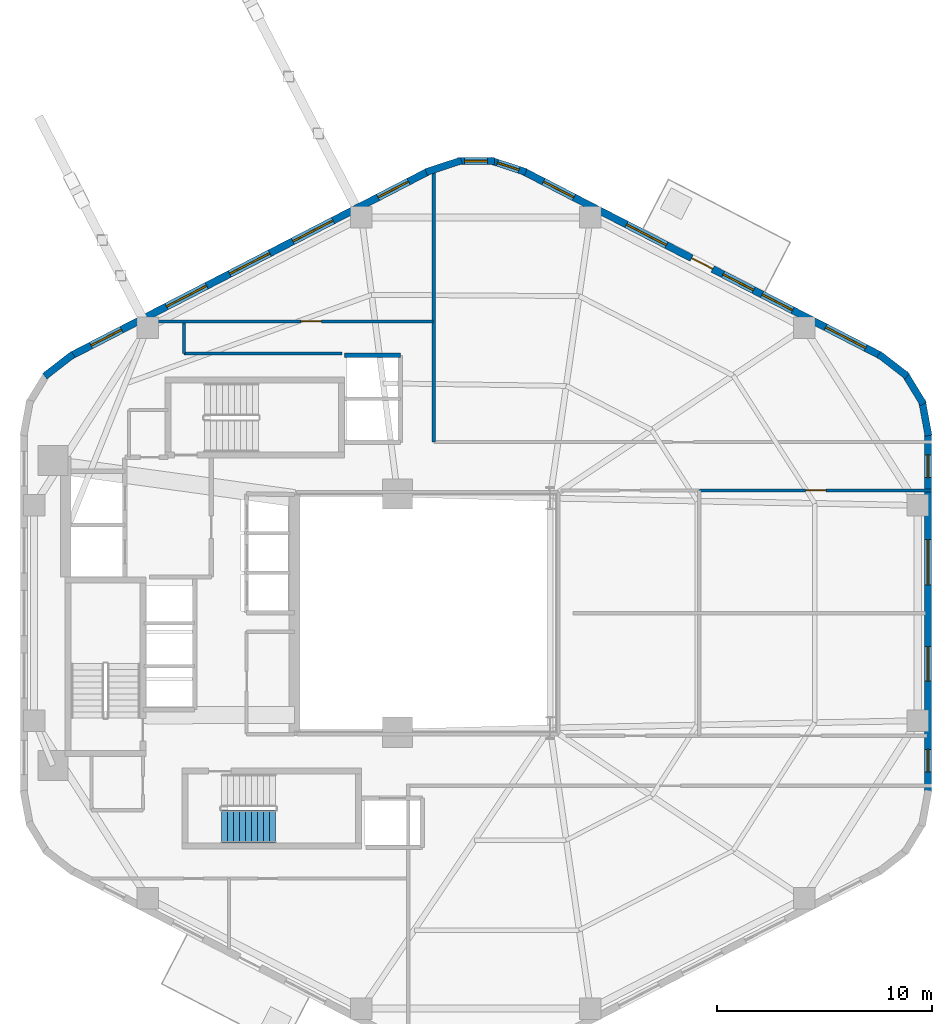
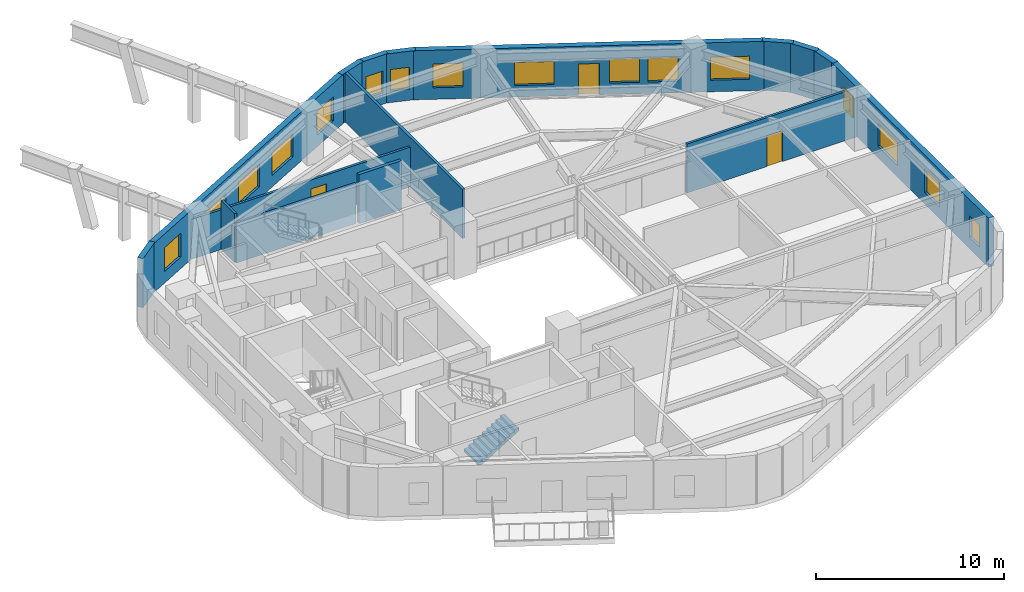
# One storey, part 5 of 8: 16 walls, 16 windows, 3 doors, 1 stair flight, 19 openings, 1 element without a shape of its own.
"""IFC4 building model written with IfcOpenShell, lengths in metres."""

from ifc_helpers import new_model, si_unit, direction, frame, frame_2d, origin, place, context, subcontext, project, spatial, polyline, rectangle, outline, extrude, material, layer, layer_set, type_object, element, fill, aggregate, save


model = new_model("IFC4")

# Units and contexts
model_context = context("Model", 3, precision=1e-05, world=origin(), true_north=direction((0.0, 1.0)))
body_context = subcontext(model_context, "Body", "Model", "MODEL_VIEW")
ifc_project = project(units=[si_unit("LENGTHUNIT", "METRE"), si_unit("AREAUNIT", "SQUARE_METRE"), si_unit("VOLUMEUNIT", "CUBIC_METRE"), si_unit("PLANEANGLEUNIT", "RADIAN"), si_unit("MASSUNIT", "GRAM", prefix="KILO"), si_unit("THERMODYNAMICTEMPERATUREUNIT", "KELVIN"), si_unit("POWERUNIT", "WATT")], contexts=[model_context])

# Site, building, storey
site_placement = place(None, origin())
site = spatial("IfcSite", under=ifc_project, at=site_placement, CompositionType="ELEMENT")
building_placement = place(site_placement, origin())
building = spatial("IfcBuilding", under=site, at=building_placement, Name="Skarre Station Tower", CompositionType="ELEMENT")
storey_placement = place(building_placement, frame((0.0, 0.0, 132.60009765625)))
storey = spatial("IfcBuildingStorey", under=building, at=storey_placement, Name="L35", CompositionType="ELEMENT", Elevation=132.60009765625)

# Wall, opening, door
ifc_material_1 = material(Name="Acoustic Steel-Stud Gypsum Partition", Category="steel")
ifc_layer_1 = layer(ifc_material_1, 0.14990234375, Name="Acoustic Steel-Stud Gypsum Partition")
ifc_layer_set_1 = layer_set([ifc_layer_1], Name="Acoustic Steel-Stud Gypsum Partition")
wall_type_1 = type_object("IfcWallType", Name="Fire-Rated Corridor Acoustic Partition 150", PredefinedType="PARTITIONING", material=ifc_layer_set_1)
wall_1_placement = place(storey_placement, frame((34.0, 37.580078125, 0.0), z_axis=(0.0, 0.0, 1.0), x_axis=(-1.0, 0.0, 0.0)))
wall_1 = element("IfcWall", 1, at=wall_1_placement, inside=storey, type_object=wall_type_1, Name="L35 Interior Partition WL-PT-L35-NWW1-CW", PredefinedType="PARTITIONING", context=body_context, shape_type="SweptSolid", body=[
    extrude(rectangle(XDim=13.70703125, YDim=0.14990234375, at=frame_2d((6.853515625, 0.0))), origin(), (0.0, 0.0, 1.0), 2.581787109375),
])
opening_1_placement = place(wall_1_placement, frame((5.195068359375, 0.0, 0.0)))
opening_1 = element("IfcOpeningElement", 2, at=opening_1_placement, cuts=wall_1, Name="Opening DR-FD60", PredefinedType="OPENING", context=body_context, shape_type="SweptSolid", body=[
    extrude(rectangle(XDim=0.9599609375, YDim=2.0, at=frame_2d((0.47998046875, 1.0))), frame((0.0, 0.0849609375, 0.0), z_axis=(0.0, -1.0, 0.0), x_axis=(1.0, 0.0, 0.0)), (0.0, 0.0, 1.0), 0.169921875),
])
ifc_material_2 = material(Name="Nordic White-Oak Veneer Solid-Core Fire Leaf", Category="wood")
door_type_1 = type_object("IfcDoorType", Name="Corridor Suite Entry Fire Door FD60 960x2150", OperationType="SINGLE_SWING_LEFT", PredefinedType="DOOR", material=ifc_material_2)
door_1_placement = place(opening_1_placement, origin())
door_1 = element("IfcDoor", 3, at=door_1_placement, inside=storey, type_object=door_type_1, Name="L35 NWW1 Entry Door", OperationType="SINGLE_SWING_LEFT", OverallHeight=2.0, OverallWidth=0.9599609375, PredefinedType="DOOR", context=body_context, shape_type="SweptSolid", body=[
    extrude(rectangle(XDim=0.9599609375, YDim=2.0, at=frame_2d((0.47998046875, 1.0))), frame((0.0, 0.02490234375, 0.0), z_axis=(0.0, -1.0, 0.0), x_axis=(1.0, 0.0, 0.0)), (0.0, 0.0, 1.0), 0.050048828125),
])
fill(opening_1, door_1)

wall_2_placement = place(storey_placement, frame((46.4130859375, 29.7099609375, 0.0), z_axis=(0.0, 0.0, 1.0), x_axis=(1.0, 0.0, 0.0)))
wall_2 = element("IfcWall", 4, at=wall_2_placement, inside=storey, type_object=wall_type_1, Name="L35 Interior Partition WL-PT-L35-EWN2-CW", PredefinedType="PARTITIONING", context=body_context, shape_type="SweptSolid", body=[
    extrude(rectangle(XDim=10.794921875, YDim=0.14990234375, at=frame_2d((5.3974609375, 0.0))), origin(), (0.0, 0.0, 1.0), 3.18994140625),
])
opening_2_placement = place(wall_2_placement, frame((4.931884765625, 0.0, 0.0)))
opening_2 = element("IfcOpeningElement", 5, at=opening_2_placement, cuts=wall_2, Name="Opening DR-FD60", PredefinedType="OPENING", context=body_context, shape_type="SweptSolid", body=[
    extrude(rectangle(XDim=0.9599609375, YDim=2.0, at=frame_2d((0.47998046875, 1.0))), frame((0.0, 0.0849609375, 0.0), z_axis=(0.0, -1.0, 0.0), x_axis=(1.0, 0.0, 0.0)), (0.0, 0.0, 1.0), 0.169921875),
])
door_2_placement = place(opening_2_placement, origin())
door_2 = element("IfcDoor", 6, at=door_2_placement, inside=storey, type_object=door_type_1, Name="L35 EWN2 Entry Door", OperationType="SINGLE_SWING_LEFT", OverallHeight=2.0, OverallWidth=0.9599609375, PredefinedType="DOOR", context=body_context, shape_type="SweptSolid", body=[
    extrude(rectangle(XDim=0.9599609375, YDim=2.0, at=frame_2d((0.47998046875, 1.0))), frame((0.0, 0.02490234375, 0.0), z_axis=(0.0, -1.0, 0.0), x_axis=(1.0, 0.0, 0.0)), (0.0, 0.0, 1.0), 0.050048828125),
])
fill(opening_2, door_2)

# Walls
wall_3_placement = place(storey_placement, frame((29.7529296875, 36.080078125, 0.0), z_axis=(0.0, 0.0, 1.0), x_axis=(-1.0, 0.0, 0.0)))
element("IfcWall", 7, at=wall_3_placement, inside=storey, type_object=wall_type_1, Name="L35 Interior Partition WL-PT-L35-CSEAL-1", PredefinedType="PARTITIONING", context=body_context, shape_type="SweptSolid", body=[
    extrude(rectangle(XDim=7.35302734375, YDim=0.14990234375, at=frame_2d((3.676513671875, 0.0))), origin(), (0.0, 0.0, 1.0), 2.581787109375),
])
wall_4_placement = place(storey_placement, frame((22.39990234375, 36.080078125, 0.0), z_axis=(0.0, 0.0, 1.0), x_axis=(0.0, 1.0, 0.0)))
element("IfcWall", 8, at=wall_4_placement, inside=storey, type_object=wall_type_1, Name="L35 Interior Partition WL-PT-L35-CSEAL-2", PredefinedType="PARTITIONING", context=body_context, shape_type="SweptSolid", body=[
    extrude(rectangle(XDim=1.429931640625, YDim=0.14990234375, at=frame_2d((0.71484375, 0.0))), origin(), (0.0, 0.0, 1.0), 3.18994140625),
])

# Wall, openings, windows, door
ifc_material_3 = material(Name="Precast concrete C45/55", Category="concrete")
ifc_layer_2 = layer(ifc_material_3, 0.340087890625, Name="Precast concrete C45/55")
ifc_layer_set_2 = layer_set([ifc_layer_2], Name="Precast concrete C45/55")
wall_type_2 = type_object("IfcWallType", Name="Nordic Honed Precast Facet Wall 340", PredefinedType="STANDARD", material=ifc_layer_set_2)
wall_5_placement = place(storey_placement, frame((38.23095703125, 44.55810546875, 0.0), z_axis=(0.0, 0.0, 1.0), x_axis=(0.888613612362, -0.458656568606, 0.0)))
wall_5 = element("IfcWall", 9, at=wall_5_placement, inside=storey, type_object=wall_type_2, Name="L35 Facet 0 Nordic Precast Masonry Wall", PredefinedType="STANDARD", context=body_context, shape_type="SweptSolid", body=[
    extrude(rectangle(XDim=18.680908203125, YDim=0.340087890625, at=frame_2d((9.34033203125, 0.0))), origin(), (0.0, 0.0, 1.0), 3.18994140625),
])
opening_3_placement = place(wall_5_placement, frame((8.7900390625, 0.0, 0.0)))
opening_3 = element("IfcOpeningElement", 10, at=opening_3_placement, cuts=wall_5, Name="Opening DR-BAL110", PredefinedType="OPENING", context=body_context, shape_type="SweptSolid", body=[
    extrude(rectangle(XDim=1.10009765625, YDim=2.0400390625, at=frame_2d((0.550048828125, 1.02001953125))), frame((0.0, 0.179931640625, 0.0), z_axis=(0.0, -1.0, 0.0), x_axis=(1.0, 0.0, 0.0)), (0.0, 0.0, 1.0), 0.360107421875),
])
opening_4_placement = place(wall_5_placement, frame((1.02294921875, 0.0, 0.75)))
opening_4 = element("IfcOpeningElement", 11, at=opening_4_placement, cuts=wall_5, Name="Opening WN-Z2A", PredefinedType="OPENING", context=body_context, shape_type="SweptSolid", body=[
    extrude(rectangle(XDim=1.60009765625, YDim=1.550048828125, at=frame_2d((0.800048828125, 0.77490234375))), frame((0.0, 0.179931640625, 0.0), z_axis=(0.0, -1.0, 0.0), x_axis=(1.0, 0.0, 0.0)), (0.0, 0.0, 1.0), 0.360107421875),
])
opening_5_placement = place(wall_5_placement, frame((5.373046875, 0.0, 0.75)))
opening_5 = element("IfcOpeningElement", 12, at=opening_5_placement, cuts=wall_5, Name="Opening WN-Z2B", PredefinedType="OPENING", context=body_context, shape_type="SweptSolid", body=[
    extrude(rectangle(XDim=2.10009765625, YDim=1.5, at=frame_2d((1.050048828125, 0.75))), frame((0.0, 0.179931640625, 0.0), z_axis=(0.0, -1.0, 0.0), x_axis=(1.0, 0.0, 0.0)), (0.0, 0.0, 1.0), 0.360107421875),
])
opening_6_placement = place(wall_5_placement, frame((10.43408203125, 0.0, 0.75)))
opening_6 = element("IfcOpeningElement", 13, at=opening_6_placement, cuts=wall_5, Name="Opening WN-Z2A", PredefinedType="OPENING", context=body_context, shape_type="SweptSolid", body=[
    extrude(rectangle(XDim=1.60009765625, YDim=1.550048828125, at=frame_2d((0.800048828125, 0.77490234375))), frame((0.0, 0.179931640625, 0.0), z_axis=(0.0, -1.0, 0.0), x_axis=(1.0, 0.0, 0.0)), (0.0, 0.0, 1.0), 0.360107421875),
])
opening_7_placement = place(wall_5_placement, frame((12.48095703125, 0.0, 0.75)))
opening_7 = element("IfcOpeningElement", 14, at=opening_7_placement, cuts=wall_5, Name="Opening WN-Z2A", PredefinedType="OPENING", context=body_context, shape_type="SweptSolid", body=[
    extrude(rectangle(XDim=1.60009765625, YDim=1.550048828125, at=frame_2d((0.800048828125, 0.77490234375))), frame((0.0, 0.179931640625, 0.0), z_axis=(0.0, -1.0, 0.0), x_axis=(1.0, 0.0, 0.0)), (0.0, 0.0, 1.0), 0.360107421875),
])
opening_8_placement = place(wall_5_placement, frame((15.80810546875, 0.0, 0.75)))
opening_8 = element("IfcOpeningElement", 15, at=opening_8_placement, cuts=wall_5, Name="Opening WN-Z2B", PredefinedType="OPENING", context=body_context, shape_type="SweptSolid", body=[
    extrude(rectangle(XDim=2.10009765625, YDim=1.5, at=frame_2d((1.050048828125, 0.75))), frame((0.0, 0.179931640625, 0.0), z_axis=(0.0, -1.0, 0.0), x_axis=(1.0, 0.0, 0.0)), (0.0, 0.0, 1.0), 0.360107421875),
])
ifc_material_4 = material(Name="Low-Iron Triple Glazing with Bronze Anodized Frame", Category="glass")
window_type_1 = type_object("IfcWindowType", Name="Nordic Residential Tall Window 1600x1550", PartitioningType="SINGLE_PANEL", PredefinedType="WINDOW", material=ifc_material_4)
window_1_placement = place(opening_4_placement, origin())
window_1 = element("IfcWindow", 16, at=window_1_placement, inside=storey, type_object=window_type_1, Name="L35 Facade Window WL-FAC-L35-F0-1", OverallHeight=1.550048828125, OverallWidth=1.60009765625, PartitioningType="SINGLE_PANEL", PredefinedType="WINDOW", context=body_context, shape_type="SweptSolid", body=[
    extrude(rectangle(XDim=1.60009765625, YDim=1.550048828125, at=frame_2d((0.800048828125, 0.77490234375))), frame((0.0, 0.030029296875, 0.0), z_axis=(0.0, -1.0, 0.0), x_axis=(1.0, 0.0, 0.0)), (0.0, 0.0, 1.0), 0.06005859375),
])
fill(opening_4, window_1)
window_2_placement = place(opening_6_placement, origin())
window_2 = element("IfcWindow", 17, at=window_2_placement, inside=storey, type_object=window_type_1, Name="L35 Facade Window WL-FAC-L35-F0-3", OverallHeight=1.550048828125, OverallWidth=1.60009765625, PartitioningType="SINGLE_PANEL", PredefinedType="WINDOW", context=body_context, shape_type="SweptSolid", body=[
    extrude(rectangle(XDim=1.60009765625, YDim=1.550048828125, at=frame_2d((0.800048828125, 0.77490234375))), frame((0.0, 0.030029296875, 0.0), z_axis=(0.0, -1.0, 0.0), x_axis=(1.0, 0.0, 0.0)), (0.0, 0.0, 1.0), 0.06005859375),
])
fill(opening_6, window_2)
window_3_placement = place(opening_7_placement, origin())
window_3 = element("IfcWindow", 18, at=window_3_placement, inside=storey, type_object=window_type_1, Name="L35 Facade Window WL-FAC-L35-F0-4", OverallHeight=1.550048828125, OverallWidth=1.60009765625, PartitioningType="SINGLE_PANEL", PredefinedType="WINDOW", context=body_context, shape_type="SweptSolid", body=[
    extrude(rectangle(XDim=1.60009765625, YDim=1.550048828125, at=frame_2d((0.800048828125, 0.77490234375))), frame((0.0, 0.030029296875, 0.0), z_axis=(0.0, -1.0, 0.0), x_axis=(1.0, 0.0, 0.0)), (0.0, 0.0, 1.0), 0.06005859375),
])
fill(opening_7, window_3)
window_type_2 = type_object("IfcWindowType", Name="Nordic Residential Twin Window 2100x1500", PartitioningType="SINGLE_PANEL", PredefinedType="WINDOW", material=ifc_material_4)
window_4_placement = place(opening_5_placement, origin())
window_4 = element("IfcWindow", 19, at=window_4_placement, inside=storey, type_object=window_type_2, Name="L35 Facade Window WL-FAC-L35-F0-2", OverallHeight=1.5, OverallWidth=2.10009765625, PartitioningType="SINGLE_PANEL", PredefinedType="WINDOW", context=body_context, shape_type="SweptSolid", body=[
    extrude(rectangle(XDim=2.10009765625, YDim=1.5, at=frame_2d((1.050048828125, 0.75))), frame((0.0, 0.030029296875, 0.0), z_axis=(0.0, -1.0, 0.0), x_axis=(1.0, 0.0, 0.0)), (0.0, 0.0, 1.0), 0.06005859375),
])
fill(opening_5, window_4)
window_5_placement = place(opening_8_placement, origin())
window_5 = element("IfcWindow", 20, at=window_5_placement, inside=storey, type_object=window_type_2, Name="L35 Facade Window WL-FAC-L35-F0-5", OverallHeight=1.5, OverallWidth=2.10009765625, PartitioningType="SINGLE_PANEL", PredefinedType="WINDOW", context=body_context, shape_type="SweptSolid", body=[
    extrude(rectangle(XDim=2.10009765625, YDim=1.5, at=frame_2d((1.050048828125, 0.75))), frame((0.0, 0.030029296875, 0.0), z_axis=(0.0, -1.0, 0.0), x_axis=(1.0, 0.0, 0.0)), (0.0, 0.0, 1.0), 0.06005859375),
])
fill(opening_8, window_5)
ifc_material_5 = material(Name="Thermally Broken Aluminium & Triple Glazing", Category="aluminium")
door_type_2 = type_object("IfcDoorType", Name="Terrace & Tree-Balcony Glazed Door 1100x2200", OperationType="SINGLE_SWING_LEFT", PredefinedType="DOOR", material=ifc_material_5)
door_3_placement = place(opening_3_placement, origin())
door_3 = element("IfcDoor", 21, at=door_3_placement, inside=storey, type_object=door_type_2, Name="L35 TB-L35-F0 Tree-Balcony Glazed Door", OperationType="SINGLE_SWING_LEFT", OverallHeight=2.0400390625, OverallWidth=1.10009765625, PredefinedType="DOOR", context=body_context, shape_type="SweptSolid", body=[
    extrude(rectangle(XDim=1.10009765625, YDim=2.0400390625, at=frame_2d((0.550048828125, 1.02001953125))), frame((0.0, 0.02490234375, 0.0), z_axis=(0.0, -1.0, 0.0), x_axis=(1.0, 0.0, 0.0)), (0.0, 0.0, 1.0), 0.050048828125),
])
fill(opening_3, door_3)

# Wall, openings, windows
wall_6_placement = place(storey_placement, frame((17.1689453125, 35.989990234375, 0.0), z_axis=(0.0, 0.0, 1.0), x_axis=(0.888613612362, 0.458656568606, 0.0)))
wall_6 = element("IfcWall", 22, at=wall_6_placement, inside=storey, type_object=wall_type_2, Name="L35 Facet 1 Nordic Precast Masonry Wall", PredefinedType="STANDARD", context=body_context, shape_type="SweptSolid", body=[
    extrude(rectangle(XDim=18.680908203125, YDim=0.340087890625, at=frame_2d((9.34033203125, 0.0))), origin(), (0.0, 0.0, 1.0), 3.18994140625),
])
opening_9_placement = place(wall_6_placement, frame((1.02294921875, 0.0, 0.75)))
opening_9 = element("IfcOpeningElement", 23, at=opening_9_placement, cuts=wall_6, Name="Opening WN-Z2A", PredefinedType="OPENING", context=body_context, shape_type="SweptSolid", body=[
    extrude(rectangle(XDim=1.60009765625, YDim=1.550048828125, at=frame_2d((0.800048828125, 0.77490234375))), frame((0.0, 0.179931640625, 0.0), z_axis=(0.0, -1.0, 0.0), x_axis=(1.0, 0.0, 0.0)), (0.0, 0.0, 1.0), 0.360107421875),
])
opening_10_placement = place(wall_6_placement, frame((4.98095703125, 0.0, 0.75)))
opening_10 = element("IfcOpeningElement", 24, at=opening_10_placement, cuts=wall_6, Name="Opening WN-Z2B", PredefinedType="OPENING", context=body_context, shape_type="SweptSolid", body=[
    extrude(rectangle(XDim=2.10009765625, YDim=1.5, at=frame_2d((1.050048828125, 0.75))), frame((0.0, 0.179931640625, 0.0), z_axis=(0.0, -1.0, 0.0), x_axis=(1.0, 0.0, 0.0)), (0.0, 0.0, 1.0), 0.360107421875),
])
opening_11_placement = place(wall_6_placement, frame((8.2900390625, 0.0, 0.75)))
opening_11 = element("IfcOpeningElement", 25, at=opening_11_placement, cuts=wall_6, Name="Opening WN-Z2B", PredefinedType="OPENING", context=body_context, shape_type="SweptSolid", body=[
    extrude(rectangle(XDim=2.10009765625, YDim=1.5, at=frame_2d((1.050048828125, 0.75))), frame((0.0, 0.179931640625, 0.0), z_axis=(0.0, -1.0, 0.0), x_axis=(1.0, 0.0, 0.0)), (0.0, 0.0, 1.0), 0.360107421875),
])
opening_12_placement = place(wall_6_placement, frame((11.60009765625, 0.0, 0.75)))
opening_12 = element("IfcOpeningElement", 26, at=opening_12_placement, cuts=wall_6, Name="Opening WN-Z2B", PredefinedType="OPENING", context=body_context, shape_type="SweptSolid", body=[
    extrude(rectangle(XDim=2.10009765625, YDim=1.5, at=frame_2d((1.050048828125, 0.75))), frame((0.0, 0.179931640625, 0.0), z_axis=(0.0, -1.0, 0.0), x_axis=(1.0, 0.0, 0.0)), (0.0, 0.0, 1.0), 0.360107421875),
])
opening_13_placement = place(wall_6_placement, frame((16.05810546875, 0.0, 0.75)))
opening_13 = element("IfcOpeningElement", 27, at=opening_13_placement, cuts=wall_6, Name="Opening WN-Z2A", PredefinedType="OPENING", context=body_context, shape_type="SweptSolid", body=[
    extrude(rectangle(XDim=1.60009765625, YDim=1.550048828125, at=frame_2d((0.800048828125, 0.77490234375))), frame((0.0, 0.179931640625, 0.0), z_axis=(0.0, -1.0, 0.0), x_axis=(1.0, 0.0, 0.0)), (0.0, 0.0, 1.0), 0.360107421875),
])
window_6_placement = place(opening_9_placement, origin())
window_6 = element("IfcWindow", 28, at=window_6_placement, inside=storey, type_object=window_type_1, Name="L35 Facade Window WL-FAC-L35-F1-1", OverallHeight=1.550048828125, OverallWidth=1.60009765625, PartitioningType="SINGLE_PANEL", PredefinedType="WINDOW", context=body_context, shape_type="SweptSolid", body=[
    extrude(rectangle(XDim=1.60009765625, YDim=1.550048828125, at=frame_2d((0.800048828125, 0.77490234375))), frame((0.0, 0.030029296875, 0.0), z_axis=(0.0, -1.0, 0.0), x_axis=(1.0, 0.0, 0.0)), (0.0, 0.0, 1.0), 0.06005859375),
])
fill(opening_9, window_6)
window_7_placement = place(opening_13_placement, origin())
window_7 = element("IfcWindow", 29, at=window_7_placement, inside=storey, type_object=window_type_1, Name="L35 Facade Window WL-FAC-L35-F1-5", OverallHeight=1.550048828125, OverallWidth=1.60009765625, PartitioningType="SINGLE_PANEL", PredefinedType="WINDOW", context=body_context, shape_type="SweptSolid", body=[
    extrude(rectangle(XDim=1.60009765625, YDim=1.550048828125, at=frame_2d((0.800048828125, 0.77490234375))), frame((0.0, 0.030029296875, 0.0), z_axis=(0.0, -1.0, 0.0), x_axis=(1.0, 0.0, 0.0)), (0.0, 0.0, 1.0), 0.06005859375),
])
fill(opening_13, window_7)
window_8_placement = place(opening_10_placement, origin())
window_8 = element("IfcWindow", 30, at=window_8_placement, inside=storey, type_object=window_type_2, Name="L35 Facade Window WL-FAC-L35-F1-2", OverallHeight=1.5, OverallWidth=2.10009765625, PartitioningType="SINGLE_PANEL", PredefinedType="WINDOW", context=body_context, shape_type="SweptSolid", body=[
    extrude(rectangle(XDim=2.10009765625, YDim=1.5, at=frame_2d((1.050048828125, 0.75))), frame((0.0, 0.030029296875, 0.0), z_axis=(0.0, -1.0, 0.0), x_axis=(1.0, 0.0, 0.0)), (0.0, 0.0, 1.0), 0.06005859375),
])
fill(opening_10, window_8)
window_9_placement = place(opening_11_placement, origin())
window_9 = element("IfcWindow", 31, at=window_9_placement, inside=storey, type_object=window_type_2, Name="L35 Facade Window WL-FAC-L35-F1-3", OverallHeight=1.5, OverallWidth=2.10009765625, PartitioningType="SINGLE_PANEL", PredefinedType="WINDOW", context=body_context, shape_type="SweptSolid", body=[
    extrude(rectangle(XDim=2.10009765625, YDim=1.5, at=frame_2d((1.050048828125, 0.75))), frame((0.0, 0.030029296875, 0.0), z_axis=(0.0, -1.0, 0.0), x_axis=(1.0, 0.0, 0.0)), (0.0, 0.0, 1.0), 0.06005859375),
])
fill(opening_11, window_9)
window_10_placement = place(opening_12_placement, origin())
window_10 = element("IfcWindow", 32, at=window_10_placement, inside=storey, type_object=window_type_2, Name="L35 Facade Window WL-FAC-L35-F1-4", OverallHeight=1.5, OverallWidth=2.10009765625, PartitioningType="SINGLE_PANEL", PredefinedType="WINDOW", context=body_context, shape_type="SweptSolid", body=[
    extrude(rectangle(XDim=2.10009765625, YDim=1.5, at=frame_2d((1.050048828125, 0.75))), frame((0.0, 0.030029296875, 0.0), z_axis=(0.0, -1.0, 0.0), x_axis=(1.0, 0.0, 0.0)), (0.0, 0.0, 1.0), 0.06005859375),
])
fill(opening_12, window_10)

wall_7_placement = place(storey_placement, frame((57.048095703125, 32.35205078125, 0.0), z_axis=(0.0, 0.0, 1.0), x_axis=(0.0, -1.0, 0.0)))
wall_7 = element("IfcWall", 33, at=wall_7_placement, inside=storey, type_object=wall_type_2, Name="L35 Facet 5 Nordic Precast Masonry Wall", PredefinedType="STANDARD", context=body_context, shape_type="SweptSolid", body=[
    extrude(rectangle(XDim=16.7041015625, YDim=0.340087890625, at=frame_2d((8.35205078125, 0.0))), origin(), (0.0, 0.0, 1.0), 3.18994140625),
])
opening_14_placement = place(wall_7_placement, frame((0.991943359375, 0.0, 0.75)))
opening_14 = element("IfcOpeningElement", 34, at=opening_14_placement, cuts=wall_7, Name="Opening WN-SLT", PredefinedType="OPENING", context=body_context, shape_type="SweptSolid", body=[
    extrude(rectangle(XDim=1.050048828125, YDim=1.39990234375, at=frame_2d((0.52490234375, 0.699951171875))), frame((0.0, 0.179931640625, 0.0), z_axis=(0.0, -1.0, 0.0), x_axis=(1.0, 0.0, 0.0)), (0.0, 0.0, 1.0), 0.360107421875),
])
opening_15_placement = place(wall_7_placement, frame((4.93505859375, 0.0, 0.75)))
opening_15 = element("IfcOpeningElement", 35, at=opening_15_placement, cuts=wall_7, Name="Opening WN-Z2B", PredefinedType="OPENING", context=body_context, shape_type="SweptSolid", body=[
    extrude(rectangle(XDim=2.10009765625, YDim=1.5, at=frame_2d((1.050048828125, 0.75))), frame((0.0, 0.179931640625, 0.0), z_axis=(0.0, -1.0, 0.0), x_axis=(1.0, 0.0, 0.0)), (0.0, 0.0, 1.0), 0.360107421875),
])
opening_16_placement = place(wall_7_placement, frame((9.9189453125, 0.0, 0.75)))
opening_16 = element("IfcOpeningElement", 36, at=opening_16_placement, cuts=wall_7, Name="Opening WN-Z2A", PredefinedType="OPENING", context=body_context, shape_type="SweptSolid", body=[
    extrude(rectangle(XDim=1.60009765625, YDim=1.550048828125, at=frame_2d((0.800048828125, 0.77490234375))), frame((0.0, 0.179931640625, 0.0), z_axis=(0.0, -1.0, 0.0), x_axis=(1.0, 0.0, 0.0)), (0.0, 0.0, 1.0), 0.360107421875),
])
opening_17_placement = place(wall_7_placement, frame((14.701904296875, 0.0, 0.75)))
opening_17 = element("IfcOpeningElement", 37, at=opening_17_placement, cuts=wall_7, Name="Opening WN-SLT", PredefinedType="OPENING", context=body_context, shape_type="SweptSolid", body=[
    extrude(rectangle(XDim=1.050048828125, YDim=1.39990234375, at=frame_2d((0.52490234375, 0.699951171875))), frame((0.0, 0.179931640625, 0.0), z_axis=(0.0, -1.0, 0.0), x_axis=(1.0, 0.0, 0.0)), (0.0, 0.0, 1.0), 0.360107421875),
])
window_type_3 = type_object("IfcWindowType", Name="Nordic Corner Slot Window 1050x1400", PartitioningType="SINGLE_PANEL", PredefinedType="WINDOW", material=ifc_material_4)
window_11_placement = place(opening_14_placement, origin())
window_11 = element("IfcWindow", 38, at=window_11_placement, inside=storey, type_object=window_type_3, Name="L35 Facade Window WL-FAC-L35-F5-1", OverallHeight=1.39990234375, OverallWidth=1.050048828125, PartitioningType="SINGLE_PANEL", PredefinedType="WINDOW", context=body_context, shape_type="SweptSolid", body=[
    extrude(rectangle(XDim=1.050048828125, YDim=1.39990234375, at=frame_2d((0.52490234375, 0.699951171875))), frame((0.0, 0.030029296875, 0.0), z_axis=(0.0, -1.0, 0.0), x_axis=(1.0, 0.0, 0.0)), (0.0, 0.0, 1.0), 0.06005859375),
])
fill(opening_14, window_11)
window_12_placement = place(opening_17_placement, origin())
window_12 = element("IfcWindow", 39, at=window_12_placement, inside=storey, type_object=window_type_3, Name="L35 Facade Window WL-FAC-L35-F5-4", OverallHeight=1.39990234375, OverallWidth=1.050048828125, PartitioningType="SINGLE_PANEL", PredefinedType="WINDOW", context=body_context, shape_type="SweptSolid", body=[
    extrude(rectangle(XDim=1.050048828125, YDim=1.39990234375, at=frame_2d((0.52490234375, 0.699951171875))), frame((0.0, 0.030029296875, 0.0), z_axis=(0.0, -1.0, 0.0), x_axis=(1.0, 0.0, 0.0)), (0.0, 0.0, 1.0), 0.06005859375),
])
fill(opening_17, window_12)
window_13_placement = place(opening_16_placement, origin())
window_13 = element("IfcWindow", 40, at=window_13_placement, inside=storey, type_object=window_type_1, Name="L35 Facade Window WL-FAC-L35-F5-3", OverallHeight=1.550048828125, OverallWidth=1.60009765625, PartitioningType="SINGLE_PANEL", PredefinedType="WINDOW", context=body_context, shape_type="SweptSolid", body=[
    extrude(rectangle(XDim=1.60009765625, YDim=1.550048828125, at=frame_2d((0.800048828125, 0.77490234375))), frame((0.0, 0.030029296875, 0.0), z_axis=(0.0, -1.0, 0.0), x_axis=(1.0, 0.0, 0.0)), (0.0, 0.0, 1.0), 0.06005859375),
])
fill(opening_16, window_13)
window_14_placement = place(opening_15_placement, origin())
window_14 = element("IfcWindow", 41, at=window_14_placement, inside=storey, type_object=window_type_2, Name="L35 Facade Window WL-FAC-L35-F5-2", OverallHeight=1.5, OverallWidth=2.10009765625, PartitioningType="SINGLE_PANEL", PredefinedType="WINDOW", context=body_context, shape_type="SweptSolid", body=[
    extrude(rectangle(XDim=2.10009765625, YDim=1.5, at=frame_2d((1.050048828125, 0.75))), frame((0.0, 0.030029296875, 0.0), z_axis=(0.0, -1.0, 0.0), x_axis=(1.0, 0.0, 0.0)), (0.0, 0.0, 1.0), 0.06005859375),
])
fill(opening_15, window_14)

# Walls
ifc_layer_3 = layer(ifc_material_3, 0.330078125, Name="Precast concrete C45/55")
ifc_layer_set_3 = layer_set([ifc_layer_3], Name="Precast concrete C45/55")
wall_type_3 = type_object("IfcWallType", Name="Nordic Rounded Corner Precast Wall 330", PredefinedType="STANDARD", material=ifc_layer_set_3)
wall_8_placement = place(storey_placement, frame((54.757080078125, 36.050048828125, 0.0), z_axis=(0.0, 0.0, 1.0), x_axis=(0.790621329885, -0.612305408053, 0.0)))
element("IfcWall", 42, at=wall_8_placement, inside=storey, type_object=wall_type_3, Name="L35 Rounded Corner Precast Wall F0-1", PredefinedType="STANDARD", context=body_context, shape_type="SweptSolid", body=[
    extrude(rectangle(XDim=1.67578125, YDim=0.330078125, at=frame_2d((0.837890625, 0.0))), origin(), (0.0, 0.0, 1.0), 3.18994140625),
])
wall_9_placement = place(storey_placement, frame((55.95703125, 35.1640625, 0.0), z_axis=(0.0, 0.0, 1.0), x_axis=(0.520519429557, -0.853849824883, 0.0)))
element("IfcWall", 43, at=wall_9_placement, inside=storey, type_object=wall_type_3, Name="L35 Rounded Corner Precast Wall F0-2", PredefinedType="STANDARD", context=body_context, shape_type="SweptSolid", body=[
    extrude(rectangle(XDim=1.67724609375, YDim=0.330078125, at=frame_2d((0.838623046875, 0.0))), origin(), (0.0, 0.0, 1.0), 3.18994140625),
])
wall_10_placement = place(storey_placement, frame((56.762939453125, 33.906982421875, 0.0), z_axis=(0.0, 0.0, 1.0), x_axis=(0.181984991895, -0.983301308209, 0.0)))
element("IfcWall", 44, at=wall_10_placement, inside=storey, type_object=wall_type_3, Name="L35 Rounded Corner Precast Wall F0-3", PredefinedType="STANDARD", context=body_context, shape_type="SweptSolid", body=[
    extrude(rectangle(XDim=1.677001953125, YDim=0.330078125, at=frame_2d((0.83837890625, 0.0))), origin(), (0.0, 0.0, 1.0), 3.18994140625),
])
wall_11_placement = place(storey_placement, frame((33.680908203125, 44.531982421875, 0.0), z_axis=(0.0, 0.0, 1.0), x_axis=(0.949937416267, 0.312440242569, 0.0)))
element("IfcWall", 45, at=wall_11_placement, inside=storey, type_object=wall_type_3, Name="L35 Rounded Corner Precast Wall F1-1", PredefinedType="STANDARD", context=body_context, shape_type="SweptSolid", body=[
    extrude(rectangle(XDim=1.72216796875, YDim=0.330078125, at=frame_2d((0.861083984375, 0.0))), origin(), (0.0, 0.0, 1.0), 3.18994140625),
])

# Wall, opening, window
wall_12_placement = place(storey_placement, frame((35.138916015625, 45.041015625, 0.0), z_axis=(0.0, 0.0, 1.0), x_axis=(1.0, 0.0, 0.0)))
wall_12 = element("IfcWall", 46, at=wall_12_placement, inside=storey, type_object=wall_type_3, Name="L35 Rounded Corner Precast Wall F1-2", PredefinedType="STANDARD", context=body_context, shape_type="SweptSolid", body=[
    extrude(rectangle(XDim=1.72216796875, YDim=0.330078125, at=frame_2d((0.861083984375, 0.0))), origin(), (0.0, 0.0, 1.0), 3.18994140625),
])
opening_18_placement = place(wall_12_placement, frame((0.3359375, 0.0, 0.75)))
opening_18 = element("IfcOpeningElement", 47, at=opening_18_placement, cuts=wall_12, Name="Opening WN-SLT", PredefinedType="OPENING", context=body_context, shape_type="SweptSolid", body=[
    extrude(rectangle(XDim=1.050048828125, YDim=1.39990234375, at=frame_2d((0.52490234375, 0.699951171875))), frame((0.0, 0.175048828125, 0.0), z_axis=(0.0, -1.0, 0.0), x_axis=(1.0, 0.0, 0.0)), (0.0, 0.0, 1.0), 0.35009765625),
])
window_15_placement = place(opening_18_placement, origin())
window_15 = element("IfcWindow", 48, at=window_15_placement, inside=storey, type_object=window_type_3, Name="L35 Apex Corner Slot Window F1-2", OverallHeight=1.39990234375, OverallWidth=1.050048828125, PartitioningType="SINGLE_PANEL", PredefinedType="WINDOW", context=body_context, shape_type="SweptSolid", body=[
    extrude(rectangle(XDim=1.050048828125, YDim=1.39990234375, at=frame_2d((0.52490234375, 0.699951171875))), frame((0.0, 0.030029296875, 0.0), z_axis=(0.0, -1.0, 0.0), x_axis=(1.0, 0.0, 0.0)), (0.0, 0.0, 1.0), 0.06005859375),
])
fill(opening_18, window_15)

wall_13_placement = place(storey_placement, frame((36.68310546875, 45.070068359375, 0.0), z_axis=(0.0, 0.0, 1.0), x_axis=(0.949937416267, -0.312440242569, 0.0)))
wall_13 = element("IfcWall", 49, at=wall_13_placement, inside=storey, type_object=wall_type_3, Name="L35 Rounded Corner Precast Wall F1-3", PredefinedType="STANDARD", context=body_context, shape_type="SweptSolid", body=[
    extrude(rectangle(XDim=1.72216796875, YDim=0.330078125, at=frame_2d((0.861083984375, 0.0))), origin(), (0.0, 0.0, 1.0), 3.18994140625),
])
opening_19_placement = place(wall_13_placement, frame((0.3359375, 0.0, 0.75)))
opening_19 = element("IfcOpeningElement", 50, at=opening_19_placement, cuts=wall_13, Name="Opening WN-SLT", PredefinedType="OPENING", context=body_context, shape_type="SweptSolid", body=[
    extrude(rectangle(XDim=1.050048828125, YDim=1.39990234375, at=frame_2d((0.52490234375, 0.699951171875))), frame((0.0, 0.175048828125, 0.0), z_axis=(0.0, -1.0, 0.0), x_axis=(1.0, 0.0, 0.0)), (0.0, 0.0, 1.0), 0.35009765625),
])
window_16_placement = place(opening_19_placement, origin())
window_16 = element("IfcWindow", 51, at=window_16_placement, inside=storey, type_object=window_type_3, Name="L35 Apex Corner Slot Window F1-3", OverallHeight=1.39990234375, OverallWidth=1.050048828125, PartitioningType="SINGLE_PANEL", PredefinedType="WINDOW", context=body_context, shape_type="SweptSolid", body=[
    extrude(rectangle(XDim=1.050048828125, YDim=1.39990234375, at=frame_2d((0.52490234375, 0.699951171875))), frame((0.0, 0.030029296875, 0.0), z_axis=(0.0, -1.0, 0.0), x_axis=(1.0, 0.0, 0.0)), (0.0, 0.0, 1.0), 0.06005859375),
])
fill(opening_19, window_16)

# Walls
wall_14_placement = place(storey_placement, frame((15.91796875, 35.02392578125, 0.0), z_axis=(0.0, 0.0, 1.0), x_axis=(0.790621329885, 0.612305408053, 0.0)))
element("IfcWall", 52, at=wall_14_placement, inside=storey, type_object=wall_type_3, Name="L35 Rounded Corner Precast Wall F2-3", PredefinedType="STANDARD", context=body_context, shape_type="SweptSolid", body=[
    extrude(rectangle(XDim=1.67578125, YDim=0.330078125, at=frame_2d((0.837890625, 0.0))), origin(), (0.0, 0.0, 1.0), 3.18994140625),
])
ifc_material_6 = material(Name="Gypsum Concrete Shaft Assembly C30/37", Category="concrete")
ifc_layer_4 = layer(ifc_material_6, 0.199951171875, Name="Gypsum Concrete Shaft Assembly C30/37")
ifc_layer_set_4 = layer_set([ifc_layer_4], Name="Gypsum Concrete Shaft Assembly C30/37")
wall_type_4 = type_object("IfcWallType", Name="Shaft & Core Fire Partition 200", PredefinedType="PARTITIONING", material=ifc_layer_set_4)
wall_15_placement = place(storey_placement, frame((29.8798828125, 36.0, 0.0), z_axis=(0.0, 0.0, 1.0), x_axis=(1.0, 0.0, 0.0)))
element("IfcWall", 53, at=wall_15_placement, inside=storey, type_object=wall_type_4, Name="L35 Interior Partition WL-PT-L35-EX-N", PredefinedType="PARTITIONING", context=body_context, shape_type="SweptSolid", body=[
    extrude(rectangle(XDim=2.60009765625, YDim=0.199951171875, at=frame_2d((1.300048828125, 0.0))), origin(), (0.0, 0.0, 1.0), 3.18994140625),
])
ifc_layer_5 = layer(ifc_material_1, 0.1650390625, Name="Acoustic Steel-Stud Gypsum Partition")
ifc_layer_set_5 = layer_set([ifc_layer_5], Name="Acoustic Steel-Stud Gypsum Partition")
wall_type_5 = type_object("IfcWallType", Name="Suite Demising Acoustic Partition 165", PredefinedType="PARTITIONING", material=ifc_layer_set_5)
wall_16_placement = place(storey_placement, frame((34.0400390625, 31.9599609375, 0.0), z_axis=(0.0, 0.0, 1.0), x_axis=(0.0, 1.0, 0.0)))
element("IfcWall", 54, at=wall_16_placement, inside=storey, type_object=wall_type_5, Name="L35 Interior Partition WL-PT-L35-NW-WBND", PredefinedType="PARTITIONING", context=body_context, shape_type="SweptSolid", body=[
    extrude(rectangle(XDim=12.55810546875, YDim=0.1650390625, at=frame_2d((6.279052734375, 0.0))), origin(), (0.0, 0.0, 1.0), 3.18994140625),
])

# Stair, stair flight
ifc_material_7 = material(Name="Concrete C40/50", Category="concrete")
stair_type = type_object("IfcStairType", Name="Reinforced Concrete Exit Stair ST-2", PredefinedType="HALF_TURN_STAIR", material=ifc_material_7)
stair_placement = place(storey_placement, origin())
stair = element("IfcStair", 55, at=stair_placement, inside=storey, type_object=stair_type, Name="L35 Core Exit Stair ST-2", PredefinedType="HALF_TURN_STAIR")
stair_flight_type = type_object("IfcStairFlightType", Name="Reinforced Concrete Stair Flight ST-2", PredefinedType="STRAIGHT", material=ifc_material_7)
stair_flight_placement = place(storey_placement, frame((24.14990234375, 14.06005859375, 0.0), z_axis=(0.0, 0.0, 1.0), x_axis=(1.0, 0.0, 0.0)))
stair_flight = element("IfcStairFlight", 56, at=stair_flight_placement, type_object=stair_flight_type, Name="ST-2 flight 1", NumberOfRisers=10, NumberOfTreads=9, PredefinedType="STRAIGHT", RiserHeight=0.1725, TreadLength=0.28, context=body_context, shape_type="SweptSolid", body=[
    extrude(outline(polyline([(0.0, 0.0), (0.0, 0.172607421875), (0.280029296875, 0.172607421875), (0.280029296875, 0.344970703125), (0.56005859375, 0.344970703125), (0.56005859375, 0.517578125), (0.840087890625, 0.517578125), (0.840087890625, 0.68994140625), (1.1201171875, 0.68994140625), (1.1201171875, 0.862548828125), (1.39990234375, 0.862548828125), (1.39990234375, 1.034912109375), (1.679931640625, 1.034912109375), (1.679931640625, 1.20751953125), (1.9599609375, 1.20751953125), (1.9599609375, 1.3798828125), (2.239990234375, 1.3798828125), (2.239990234375, 1.552490234375), (2.52001953125, 1.552490234375), (2.52001953125, 1.72509765625), (2.52001953125, 1.37646484375), (0.285888671875, 0.0), (0.0, 0.0)])), frame((0.0, 0.760009765625, 0.0), z_axis=(0.0, -1.0, 0.0), x_axis=(1.0, 0.0, 0.0)), (0.0, 0.0, 1.0), 1.52001953125),
])
aggregate(stair, [stair_flight])

save(model, "model.ifc")
